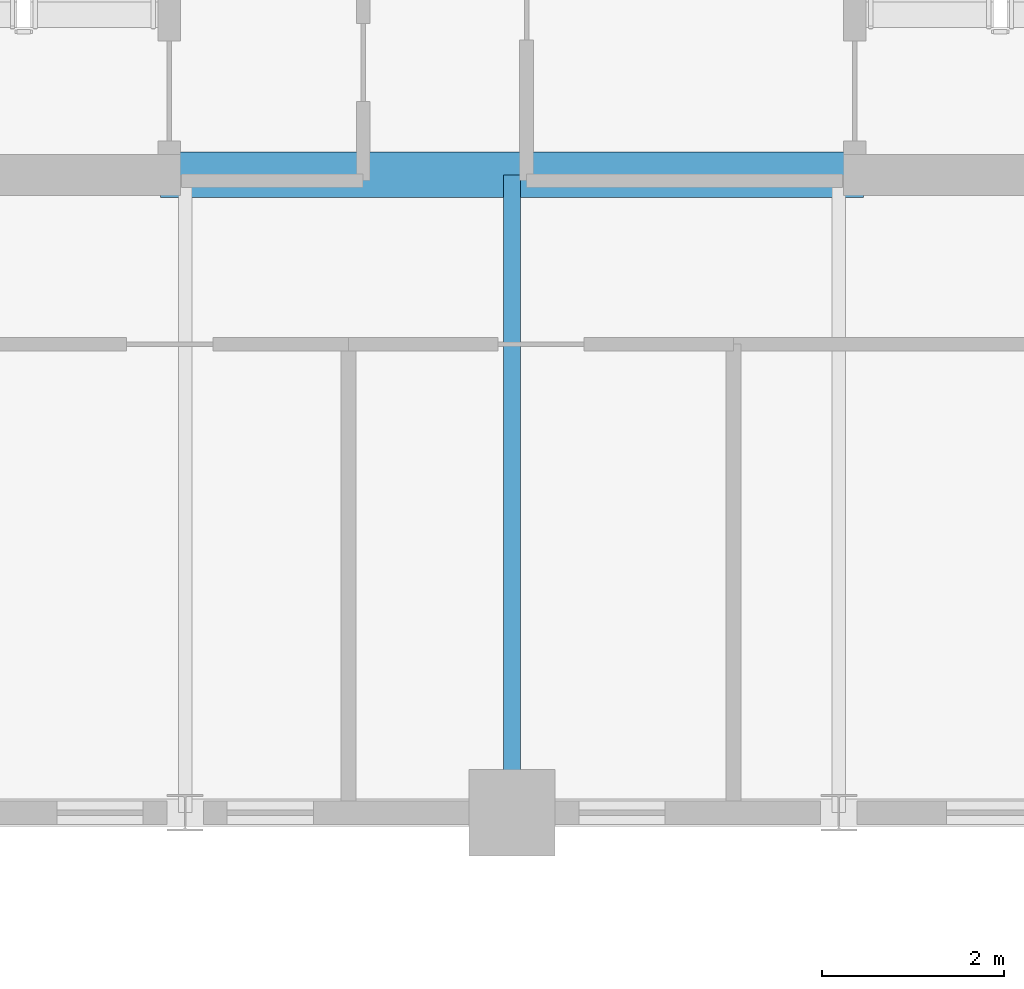
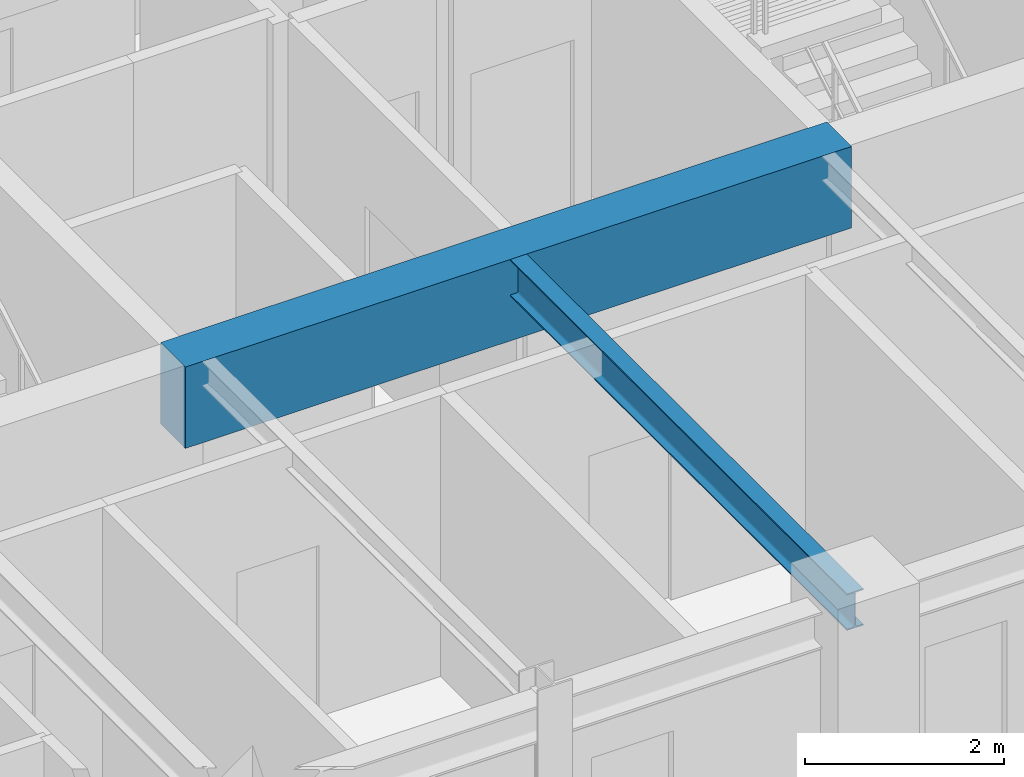
# One storey, part 7 of 20: 2 beams.
"""IFC4 building model written with IfcOpenShell, lengths in metres."""

from ifc_helpers import new_model, si_unit, direction, frame, origin, origin_2d, place, context, subcontext, project, spatial, rectangle, i_section, extrude, source, transform, mapped, material, material_profile, profile_set, type_object, element, save


model = new_model("IFC4")

# Units and contexts
model_context = context("Model", 3, precision=1e-05, world=origin(), true_north=direction((0.0, 1.0)))
body_context = subcontext(model_context, "Body", "Model", "MODEL_VIEW")
ifc_project = project(units=[si_unit("LENGTHUNIT", "METRE"), si_unit("AREAUNIT", "SQUARE_METRE"), si_unit("VOLUMEUNIT", "CUBIC_METRE"), si_unit("PLANEANGLEUNIT", "RADIAN"), si_unit("MASSUNIT", "GRAM", prefix="KILO")], contexts=[model_context])

# Site, building, storey
site_placement = place(None, origin())
site = spatial("IfcSite", under=ifc_project, at=site_placement, CompositionType="ELEMENT")
building_placement = place(site_placement, origin())
building = spatial("IfcBuilding", under=site, at=building_placement, Name="Kaliganga Portal Commons", CompositionType="ELEMENT")
storey_placement = place(building_placement, frame((0.0, 0.0, 201.800048828125)))
storey = spatial("IfcBuildingStorey", under=building, at=storey_placement, Name="L51", CompositionType="ELEMENT", Elevation=201.800048828125)

# Beams
ifc_material_1 = material(Name="Concrete C50/60", Category="concrete")
ifc_material_profile_1 = material_profile(ifc_material_1, rectangle(XDim=0.5, YDim=1.0, at=origin_2d()), Name="RC 500x1000")
ifc_profile_set_1 = profile_set([ifc_material_profile_1], Name="Concrete C50/60")
beam_type_1 = type_object("IfcBeamType", Name="BM-CPL-1000", PredefinedType="LINTEL", material=ifc_profile_set_1)
shared_shape_1 = source(origin(), body_context, "Body", "SweptSolid", [
    extrude(rectangle(XDim=0.5, YDim=1.0, at=origin_2d()), origin(), (0.0, 0.0, 1.0), 7.739990234375),
])
beam_1_placement = place(storey_placement, frame((17.72998046875, 28.625, 2.969970703125), z_axis=(1.0, 0.0, 0.0), x_axis=(0.0, 1.0, 0.0)))
element("IfcBeam", 1, at=beam_1_placement, inside=storey, type_object=beam_type_1, Name="BM CPL COREA L51 S", PredefinedType="LINTEL", context=body_context, shape_type="MappedRepresentation", body=[
    mapped(shared_shape_1, transform((0.0, 0.0, 0.0), x_axis=(1.0, 0.0, 0.0), y_axis=(0.0, 1.0, 0.0), z_axis=(0.0, 0.0, 1.0), scale=1.0)),
])
ifc_material_2 = material(Name="Structural steel S355J2", Category="steel")
ifc_material_profile_2 = material_profile(ifc_material_2, i_section(OverallWidth=0.18994140625, OverallDepth=0.449951171875, WebThickness=0.009521484375, FlangeThickness=0.0146484375, FilletRadius=0.02099609375, at=origin_2d()), Name="IPE 450")
ifc_profile_set_2 = profile_set([ifc_material_profile_2], Name="Structural steel S355J2 wide-flange")
beam_type_2 = type_object("IfcBeamType", Name="BM-FLR-450", PredefinedType="BEAM", material=ifc_profile_set_2)
shared_shape_2 = source(origin(), body_context, "Body", "SweptSolid", [
    extrude(i_section(OverallWidth=0.18994140625, OverallDepth=0.449951171875, WebThickness=0.009521484375, FlangeThickness=0.0146484375, FilletRadius=0.02099609375, at=origin_2d()), origin(), (0.0, 0.0, 1.0), 7.02490234375),
])
beam_2_placement = place(storey_placement, frame((21.60009765625, 21.60009765625, 3.244873046875), z_axis=(0.0, 1.0, 0.0), x_axis=(-1.0, 0.0, 0.0)))
element("IfcBeam", 2, at=beam_2_placement, inside=storey, type_object=beam_type_2, Name="BM G L51 AS216", PredefinedType="BEAM", context=body_context, shape_type="MappedRepresentation", body=[
    mapped(shared_shape_2, transform((0.0, 0.0, 0.0), x_axis=(1.0, 0.0, 0.0), y_axis=(0.0, 1.0, 0.0), z_axis=(0.0, 0.0, 1.0), scale=1.0)),
])

save(model, "model.ifc")
